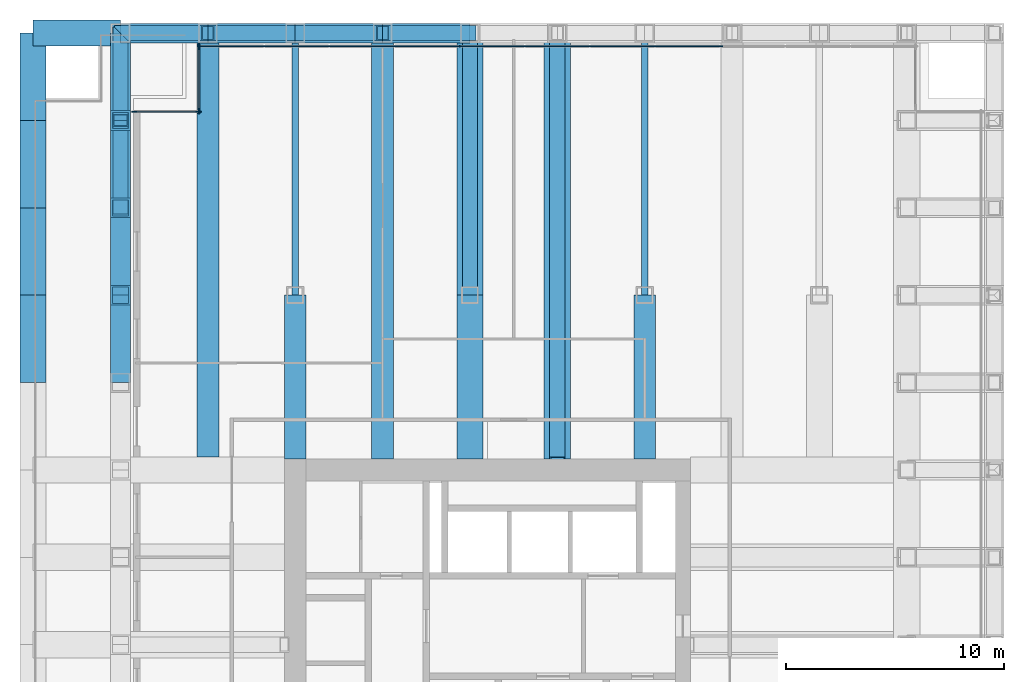
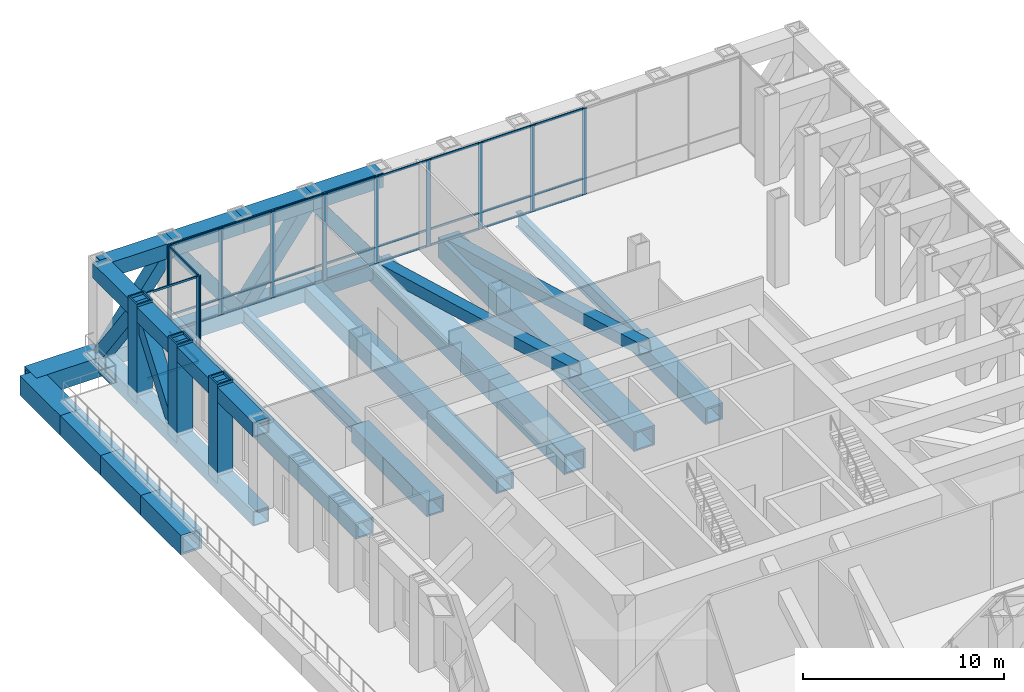
# One storey, part 6 of 12: 52 members, 27 beams, 3 elements without a shape of their own.
"""IFC4 building model written with IfcOpenShell, lengths in metres."""

from ifc_helpers import new_model, si_unit, direction, frame, origin, origin_2d, place, context, subcontext, project, spatial, rectangle, hollow_rectangle, i_section, extrude, material, material_profile, profile_set, type_object, element, aggregate, save


model = new_model("IFC4")

# Units and contexts
model_context = context("Model", 3, precision=1e-05, world=origin(), true_north=direction((0.0, 1.0)))
body_context = subcontext(model_context, "Body", "Model", "MODEL_VIEW")
ifc_project = project(units=[si_unit("LENGTHUNIT", "METRE"), si_unit("AREAUNIT", "SQUARE_METRE"), si_unit("VOLUMEUNIT", "CUBIC_METRE"), si_unit("PLANEANGLEUNIT", "RADIAN"), si_unit("MASSUNIT", "GRAM", prefix="KILO")], contexts=[model_context])

# Site, building, storey
site_placement = place(None, origin())
site = spatial("IfcSite", under=ifc_project, at=site_placement, CompositionType="ELEMENT")
building_placement = place(site_placement, origin())
building = spatial("IfcBuilding", under=site, at=building_placement, Name="Rimbunsela Tower", CompositionType="ELEMENT")
storey_placement = place(building_placement, frame((0.0, 0.0, 203.800048828125)))
storey = spatial("IfcBuildingStorey", under=building, at=storey_placement, Name="L49", CompositionType="ELEMENT", Elevation=203.800048828125)

# Beams
ifc_material_1 = material(Name="Steel BJ 55 (fy 410 MPa)", Category="steel")
ifc_material_profile_1 = material_profile(ifc_material_1, hollow_rectangle(XDim=1.0, YDim=1.0, WallThickness=0.10009765625, at=origin_2d()), Name="BOX 1000x1000x100")
ifc_profile_set_1 = profile_set([ifc_material_profile_1], Name="Steel BJ 55 (fy 410 MPa)")
beam_type_1 = type_object("IfcBeamType", Name="Beam BOX 1000x1000x100", PredefinedType="BEAM", material=ifc_profile_set_1)
beam_1_placement = place(storey_placement, frame((14.0, 36.60009765625, -0.650146484375), z_axis=(0.0, 1.0, 0.0), x_axis=(-1.0, 0.0, 0.0)))
element("IfcBeam", 1, at=beam_1_placement, inside=storey, type_object=beam_type_1, Name="Beam B3 L49", PredefinedType="BEAM", context=body_context, shape_type="SweptSolid", body=[
    extrude(hollow_rectangle(XDim=1.0, YDim=1.0, WallThickness=0.10009765625, at=origin_2d()), origin(), (0.0, 0.0, 1.0), 19.39990234375),
])
beam_2_placement = place(storey_placement, frame((18.0, 36.5, -0.650146484375), z_axis=(0.0, 1.0, 0.0), x_axis=(-1.0, 0.0, 0.0)))
element("IfcBeam", 2, at=beam_2_placement, inside=storey, type_object=beam_type_1, Name="Beam B3 L49", PredefinedType="BEAM", context=body_context, shape_type="SweptSolid", body=[
    extrude(hollow_rectangle(XDim=1.0, YDim=1.0, WallThickness=0.10009765625, at=origin_2d()), origin(), (0.0, 0.0, 1.0), 7.5),
])
beam_3_placement = place(storey_placement, frame((22.0, 36.5, -0.650146484375), z_axis=(0.0, 1.0, 0.0), x_axis=(-1.0, 0.0, 0.0)))
element("IfcBeam", 3, at=beam_3_placement, inside=storey, type_object=beam_type_1, Name="Beam B3 L49", PredefinedType="BEAM", context=body_context, shape_type="SweptSolid", body=[
    extrude(hollow_rectangle(XDim=1.0, YDim=1.0, WallThickness=0.10009765625, at=origin_2d()), origin(), (0.0, 0.0, 1.0), 19.5),
])
beam_4_placement = place(storey_placement, frame((34.0, 36.5, -0.650146484375), z_axis=(0.0, 1.0, 0.0), x_axis=(-1.0, 0.0, 0.0)))
element("IfcBeam", 4, at=beam_4_placement, inside=storey, type_object=beam_type_1, Name="Beam B3 L49", PredefinedType="BEAM", context=body_context, shape_type="SweptSolid", body=[
    extrude(hollow_rectangle(XDim=1.0, YDim=1.0, WallThickness=0.10009765625, at=origin_2d()), origin(), (0.0, 0.0, 1.0), 7.5),
])
ifc_material_2 = material(Name="Steel BJ 55 (fy 410 MPa)", Category="steel")
ifc_material_profile_2 = material_profile(ifc_material_2, hollow_rectangle(XDim=1.199951171875, YDim=1.199951171875, WallThickness=0.10009765625, at=origin_2d()), Name="BOX 1200x1200x100")
ifc_profile_set_2 = profile_set([ifc_material_profile_2], Name="Steel BJ 55 (fy 410 MPa)")
beam_type_2 = type_object("IfcBeamType", Name="Beam BOX 1200x1200x100", PredefinedType="BEAM", material=ifc_profile_set_2)
beam_5_placement = place(storey_placement, frame((26.0, 36.5, -0.75), z_axis=(0.0, 1.0, 0.0), x_axis=(-1.0, 0.0, 0.0)))
element("IfcBeam", 5, at=beam_5_placement, inside=storey, type_object=beam_type_2, Name="Beam B5 L49", PredefinedType="BEAM", context=body_context, shape_type="SweptSolid", body=[
    extrude(hollow_rectangle(XDim=1.199951171875, YDim=1.199951171875, WallThickness=0.10009765625, at=origin_2d()), origin(), (0.0, 0.0, 1.0), 7.5),
])
beam_6_placement = place(storey_placement, frame((26.0, 44.0, -0.75), z_axis=(0.0, 1.0, 0.0), x_axis=(-1.0, 0.0, 0.0)))
element("IfcBeam", 6, at=beam_6_placement, inside=storey, type_object=beam_type_2, Name="Beam B5 L49", PredefinedType="BEAM", context=body_context, shape_type="SweptSolid", body=[
    extrude(hollow_rectangle(XDim=1.199951171875, YDim=1.199951171875, WallThickness=0.10009765625, at=origin_2d()), origin(), (0.0, 0.0, 1.0), 12.0),
])
beam_7_placement = place(storey_placement, frame((30.0, 36.5, -0.75), z_axis=(0.0, 1.0, 0.0), x_axis=(-1.0, 0.0, 0.0)))
element("IfcBeam", 7, at=beam_7_placement, inside=storey, type_object=beam_type_2, Name="Beam B5 L49", PredefinedType="BEAM", context=body_context, shape_type="SweptSolid", body=[
    extrude(hollow_rectangle(XDim=1.199951171875, YDim=1.199951171875, WallThickness=0.10009765625, at=origin_2d()), origin(), (0.0, 0.0, 1.0), 19.5),
])
ifc_material_3 = material(Name="Steel BJ 55 (fy 410 MPa)", Category="steel")
ifc_material_profile_3 = material_profile(ifc_material_3, hollow_rectangle(XDim=1.199951171875, YDim=1.199951171875, WallThickness=0.125, at=origin_2d()), Name="BOX 1200x1200x125")
ifc_profile_set_3 = profile_set([ifc_material_profile_3], Name="Steel BJ 55 (fy 410 MPa)")
beam_type_3 = type_object("IfcBeamType", Name="Beam BOX 1200x1200x125", PredefinedType="BEAM", material=ifc_profile_set_3)
for number, where, z_axis, x_axis, name in (
    (8, (6.0, 40.0, -0.75), (0.0, 1.0, 0.0), (-1.0, 0.0, 0.0), "Beam B4 L49"),
    (9, (6.0, 44.0, -0.75), (0.0, 1.0, 0.0), (-1.0, 0.0, 0.0), "Beam B4 L49"),
    (10, (6.0, 48.0, -0.75), (0.0, 1.0, 0.0), (-1.0, 0.0, 0.0), "Beam B4 L49"),
    (11, (6.0, 52.0, -0.75), (0.0, 1.0, 0.0), (-1.0, 0.0, 0.0), "Beam B4 L49"),
    (12, (6.0, 56.0, -0.75), (1.0, 0.0, 0.0), (0.0, 1.0, 0.0), "Beam B4 L49"),
):
    element("IfcBeam", number, at=place(storey_placement, frame(where, z_axis=z_axis, x_axis=x_axis)), inside=storey, type_object=beam_type_3, Name=name, PredefinedType="BEAM", context=body_context, shape_type="SweptSolid", body=[
        extrude(hollow_rectangle(XDim=1.199951171875, YDim=1.199951171875, WallThickness=0.125, at=origin_2d()), origin(), (0.0, 0.0, 1.0), 4.0),
    ])
ifc_material_4 = material(Name="Steel BJ 55 (fy 410 MPa)", Category="steel")
ifc_material_profile_4 = material_profile(ifc_material_4, i_section(OverallWidth=0.300048828125, OverallDepth=0.89990234375, WebThickness=0.01611328125, FlangeThickness=0.028076171875, FilletRadius=0.028076171875, at=origin_2d()), Name="H 900x300x16x28")
ifc_profile_set_4 = profile_set([ifc_material_profile_4], Name="Steel BJ 55 (fy 410 MPa)")
beam_type_4 = type_object("IfcBeamType", Name="Beam H 900x300x16x28", PredefinedType="BEAM", material=ifc_profile_set_4)
for number, where, z_axis, x_axis, name in (
    (13, (18.0, 44.0, -0.60009765625), (0.0, 1.0, 0.0), (-1.0, 0.0, 0.0), "Beam B2 L49"),
    (14, (34.0, 44.0, -0.60009765625), (0.0, 1.0, 0.0), (-1.0, 0.0, 0.0), "Beam B2 L49"),
):
    element("IfcBeam", number, at=place(storey_placement, frame(where, z_axis=z_axis, x_axis=x_axis)), inside=storey, type_object=beam_type_4, Name=name, PredefinedType="BEAM", context=body_context, shape_type="SweptSolid", body=[
        extrude(i_section(OverallWidth=0.300048828125, OverallDepth=0.89990234375, WebThickness=0.01611328125, FlangeThickness=0.028076171875, FilletRadius=0.028076171875, at=origin_2d()), origin(), (0.0, 0.0, 1.0), 12.0),
    ])

# Curtain wall, members
ifc_material_5 = material(Name="Aluminium curtain wall", Category="aluminium")
curtain_wall_type_1 = type_object("IfcCurtainWallType", Name="Plant floor louvre wall", PredefinedType="USERDEFINED", material=ifc_material_5)
curtain_wall_1_placement = place(storey_placement, origin())
curtain_wall_1 = element("IfcCurtainWall", 15, at=curtain_wall_1_placement, inside=storey, type_object=curtain_wall_type_1, Name="Plant floor louvre wall L49", ObjectType="PLANT FLOOR LOUVRE WALL", PredefinedType="USERDEFINED")
ifc_material_6 = material(Name="Aluminium mullion", Category="aluminium")
ifc_material_profile_5 = material_profile(ifc_material_6, rectangle(XDim=0.06005859375, YDim=0.25, at=origin_2d()), Name="Mullion 60x250")
ifc_profile_set_5 = profile_set([ifc_material_profile_5], Name="Aluminium mullion")
member_type_1 = type_object("IfcMemberType", Name="Curtain wall mullion 60x250", PredefinedType="MULLION", material=ifc_profile_set_5)
member_1_placement = place(storey_placement, frame((37.45458984375, 55.39990234375, 0.0), z_axis=(0.0, 0.0, 1.0), x_axis=(0.0, -1.0, 0.0)))
member_1 = element("IfcMember", 16, at=member_1_placement, type_object=member_type_1, Name="CW3 mullion 4", PredefinedType="MULLION", context=body_context, shape_type="SweptSolid", body=[
    extrude(rectangle(XDim=0.06005859375, YDim=0.25, at=origin_2d()), origin(), (0.0, 0.0, 1.0), 5.25),
])
member_2_placement = place(storey_placement, frame((34.47265625, 55.39990234375, 0.0), z_axis=(0.0, 0.0, 1.0), x_axis=(0.0, -1.0, 0.0)))
member_2 = element("IfcMember", 17, at=member_2_placement, type_object=member_type_1, Name="CW3 mullion 5", PredefinedType="MULLION", context=body_context, shape_type="SweptSolid", body=[
    extrude(rectangle(XDim=0.06005859375, YDim=0.25, at=origin_2d()), origin(), (0.0, 0.0, 1.0), 5.25),
])
member_3_placement = place(storey_placement, frame((31.490966796875, 55.39990234375, 0.0), z_axis=(0.0, 0.0, 1.0), x_axis=(0.0, -1.0, 0.0)))
member_3 = element("IfcMember", 18, at=member_3_placement, type_object=member_type_1, Name="CW3 mullion 6", PredefinedType="MULLION", context=body_context, shape_type="SweptSolid", body=[
    extrude(rectangle(XDim=0.06005859375, YDim=0.25, at=origin_2d()), origin(), (0.0, 0.0, 1.0), 5.25),
])
member_4_placement = place(storey_placement, frame((28.509033203125, 55.39990234375, 0.0), z_axis=(0.0, 0.0, 1.0), x_axis=(0.0, -1.0, 0.0)))
member_4 = element("IfcMember", 19, at=member_4_placement, type_object=member_type_1, Name="CW3 mullion 7", PredefinedType="MULLION", context=body_context, shape_type="SweptSolid", body=[
    extrude(rectangle(XDim=0.06005859375, YDim=0.25, at=origin_2d()), origin(), (0.0, 0.0, 1.0), 5.25),
])
member_5_placement = place(storey_placement, frame((25.52734375, 55.39990234375, 0.0), z_axis=(0.0, 0.0, 1.0), x_axis=(0.0, -1.0, 0.0)))
member_5 = element("IfcMember", 20, at=member_5_placement, type_object=member_type_1, Name="CW3 mullion 8", PredefinedType="MULLION", context=body_context, shape_type="SweptSolid", body=[
    extrude(rectangle(XDim=0.06005859375, YDim=0.25, at=origin_2d()), origin(), (0.0, 0.0, 1.0), 5.25),
])
member_6_placement = place(storey_placement, frame((22.54541015625, 55.39990234375, 0.0), z_axis=(0.0, 0.0, 1.0), x_axis=(0.0, -1.0, 0.0)))
member_6 = element("IfcMember", 21, at=member_6_placement, type_object=member_type_1, Name="CW3 mullion 9", PredefinedType="MULLION", context=body_context, shape_type="SweptSolid", body=[
    extrude(rectangle(XDim=0.06005859375, YDim=0.25, at=origin_2d()), origin(), (0.0, 0.0, 1.0), 5.25),
])
member_7_placement = place(storey_placement, frame((19.563720703125, 55.39990234375, 0.0), z_axis=(0.0, 0.0, 1.0), x_axis=(0.0, -1.0, 0.0)))
member_7 = element("IfcMember", 22, at=member_7_placement, type_object=member_type_1, Name="CW3 mullion 10", PredefinedType="MULLION", context=body_context, shape_type="SweptSolid", body=[
    extrude(rectangle(XDim=0.06005859375, YDim=0.25, at=origin_2d()), origin(), (0.0, 0.0, 1.0), 5.25),
])
member_8_placement = place(storey_placement, frame((16.581787109375, 55.39990234375, 0.0), z_axis=(0.0, 0.0, 1.0), x_axis=(0.0, -1.0, 0.0)))
member_8 = element("IfcMember", 23, at=member_8_placement, type_object=member_type_1, Name="CW3 mullion 11", PredefinedType="MULLION", context=body_context, shape_type="SweptSolid", body=[
    extrude(rectangle(XDim=0.06005859375, YDim=0.25, at=origin_2d()), origin(), (0.0, 0.0, 1.0), 5.25),
])
member_9_placement = place(storey_placement, frame((13.6298828125, 55.39990234375, 0.0), z_axis=(0.0, 0.0, 1.0), x_axis=(0.0, -1.0, 0.0)))
member_9 = element("IfcMember", 24, at=member_9_placement, type_object=member_type_1, Name="CW3 mullion 12", PredefinedType="MULLION", context=body_context, shape_type="SweptSolid", body=[
    extrude(rectangle(XDim=0.06005859375, YDim=0.25, at=origin_2d()), origin(), (0.0, 0.0, 1.0), 5.25),
])

ifc_material_7 = material(Name="Aluminium curtain wall", Category="aluminium")
curtain_wall_type_2 = type_object("IfcCurtainWallType", Name="Corner glazing", PredefinedType="USERDEFINED", material=ifc_material_7)
curtain_wall_2_placement = place(storey_placement, origin())
curtain_wall_2 = element("IfcCurtainWall", 25, at=curtain_wall_2_placement, inside=storey, type_object=curtain_wall_type_2, Name="Corner glazing L49", ObjectType="CORNER GLAZING", PredefinedType="USERDEFINED")
member_10_placement = place(storey_placement, frame((13.60009765625, 55.3701171875, 0.0), z_axis=(0.0, 0.0, 1.0), x_axis=(1.0, 0.0, 0.0)))
member_10 = element("IfcMember", 26, at=member_10_placement, type_object=member_type_1, Name="CW5 mullion 1", PredefinedType="MULLION", context=body_context, shape_type="SweptSolid", body=[
    extrude(rectangle(XDim=0.06005859375, YDim=0.25, at=origin_2d()), origin(), (0.0, 0.0, 1.0), 5.25),
])
member_11_placement = place(storey_placement, frame((13.60009765625, 52.429931640625, 0.0), z_axis=(0.0, 0.0, 1.0), x_axis=(1.0, 0.0, 0.0)))
member_11 = element("IfcMember", 27, at=member_11_placement, type_object=member_type_1, Name="CW5 mullion 2", PredefinedType="MULLION", context=body_context, shape_type="SweptSolid", body=[
    extrude(rectangle(XDim=0.06005859375, YDim=0.25, at=origin_2d()), origin(), (0.0, 0.0, 1.0), 5.25),
])

curtain_wall_3_placement = place(storey_placement, origin())
curtain_wall_3 = element("IfcCurtainWall", 28, at=curtain_wall_3_placement, inside=storey, type_object=curtain_wall_type_2, Name="Corner glazing L49", ObjectType="CORNER GLAZING", PredefinedType="USERDEFINED")
member_12_placement = place(storey_placement, frame((13.570068359375, 52.39990234375, 0.0), z_axis=(0.0, 0.0, 1.0), x_axis=(0.0, -1.0, 0.0)))
member_12 = element("IfcMember", 29, at=member_12_placement, type_object=member_type_1, Name="CW5 mullion 1", PredefinedType="MULLION", context=body_context, shape_type="SweptSolid", body=[
    extrude(rectangle(XDim=0.06005859375, YDim=0.25, at=origin_2d()), origin(), (0.0, 0.0, 1.0), 5.25),
])
member_13_placement = place(storey_placement, frame((10.6298828125, 52.39990234375, 0.0), z_axis=(0.0, 0.0, 1.0), x_axis=(0.0, -1.0, 0.0)))
member_13 = element("IfcMember", 30, at=member_13_placement, type_object=member_type_1, Name="CW5 mullion 2", PredefinedType="MULLION", context=body_context, shape_type="SweptSolid", body=[
    extrude(rectangle(XDim=0.06005859375, YDim=0.25, at=origin_2d()), origin(), (0.0, 0.0, 1.0), 5.25),
])

# Member
ifc_material_8 = material(Name="Aluminium transom", Category="aluminium")
ifc_material_profile_6 = material_profile(ifc_material_8, rectangle(XDim=0.06005859375, YDim=0.1201171875, at=origin_2d()), Name="Transom 60x120")
ifc_profile_set_6 = profile_set([ifc_material_profile_6], Name="Aluminium transom")
member_type_2 = type_object("IfcMemberType", Name="Curtain wall transom 60x120", PredefinedType="USERDEFINED", material=ifc_profile_set_6)
member_14_placement = place(storey_placement, frame((37.424560546875, 55.39990234375, 0.030029296875), z_axis=(-1.0, 0.0, 0.0), x_axis=(0.0, -1.0, 0.0)))
member_14 = element("IfcMember", 31, at=member_14_placement, type_object=member_type_2, Name="CW3 transom 4.1", ObjectType="TRANSOM", PredefinedType="USERDEFINED", context=body_context, shape_type="SweptSolid", body=[
    extrude(rectangle(XDim=0.06005859375, YDim=0.1201171875, at=origin_2d()), origin(), (0.0, 0.0, 1.0), 2.921875),
])

member_15_placement = place(storey_placement, frame((37.424560546875, 55.39990234375, 1.0), z_axis=(-1.0, 0.0, 0.0), x_axis=(0.0, -1.0, 0.0)))
member_15 = element("IfcMember", 32, at=member_15_placement, type_object=member_type_2, Name="CW3 transom 4.2", ObjectType="TRANSOM", PredefinedType="USERDEFINED", context=body_context, shape_type="SweptSolid", body=[
    extrude(rectangle(XDim=0.06005859375, YDim=0.1201171875, at=origin_2d()), origin(), (0.0, 0.0, 1.0), 2.921875),
])

member_16_placement = place(storey_placement, frame((37.424560546875, 55.39990234375, 5.219970703125), z_axis=(-1.0, 0.0, 0.0), x_axis=(0.0, -1.0, 0.0)))
member_16 = element("IfcMember", 33, at=member_16_placement, type_object=member_type_2, Name="CW3 transom 4.3", ObjectType="TRANSOM", PredefinedType="USERDEFINED", context=body_context, shape_type="SweptSolid", body=[
    extrude(rectangle(XDim=0.06005859375, YDim=0.1201171875, at=origin_2d()), origin(), (0.0, 0.0, 1.0), 2.921875),
])

member_17_placement = place(storey_placement, frame((34.442626953125, 55.39990234375, 0.030029296875), z_axis=(-1.0, 0.0, 0.0), x_axis=(0.0, -1.0, 0.0)))
member_17 = element("IfcMember", 34, at=member_17_placement, type_object=member_type_2, Name="CW3 transom 5.1", ObjectType="TRANSOM", PredefinedType="USERDEFINED", context=body_context, shape_type="SweptSolid", body=[
    extrude(rectangle(XDim=0.06005859375, YDim=0.1201171875, at=origin_2d()), origin(), (0.0, 0.0, 1.0), 2.921630859375),
])

member_18_placement = place(storey_placement, frame((34.442626953125, 55.39990234375, 1.0), z_axis=(-1.0, 0.0, 0.0), x_axis=(0.0, -1.0, 0.0)))
member_18 = element("IfcMember", 35, at=member_18_placement, type_object=member_type_2, Name="CW3 transom 5.2", ObjectType="TRANSOM", PredefinedType="USERDEFINED", context=body_context, shape_type="SweptSolid", body=[
    extrude(rectangle(XDim=0.06005859375, YDim=0.1201171875, at=origin_2d()), origin(), (0.0, 0.0, 1.0), 2.921630859375),
])

member_19_placement = place(storey_placement, frame((34.442626953125, 55.39990234375, 5.219970703125), z_axis=(-1.0, 0.0, 0.0), x_axis=(0.0, -1.0, 0.0)))
member_19 = element("IfcMember", 36, at=member_19_placement, type_object=member_type_2, Name="CW3 transom 5.3", ObjectType="TRANSOM", PredefinedType="USERDEFINED", context=body_context, shape_type="SweptSolid", body=[
    extrude(rectangle(XDim=0.06005859375, YDim=0.1201171875, at=origin_2d()), origin(), (0.0, 0.0, 1.0), 2.921630859375),
])

member_20_placement = place(storey_placement, frame((31.4609375, 55.39990234375, 0.030029296875), z_axis=(-1.0, 0.0, 0.0), x_axis=(0.0, -1.0, 0.0)))
member_20 = element("IfcMember", 37, at=member_20_placement, type_object=member_type_2, Name="CW3 transom 6.1", ObjectType="TRANSOM", PredefinedType="USERDEFINED", context=body_context, shape_type="SweptSolid", body=[
    extrude(rectangle(XDim=0.06005859375, YDim=0.1201171875, at=origin_2d()), origin(), (0.0, 0.0, 1.0), 2.921875),
])

member_21_placement = place(storey_placement, frame((31.4609375, 55.39990234375, 1.0), z_axis=(-1.0, 0.0, 0.0), x_axis=(0.0, -1.0, 0.0)))
member_21 = element("IfcMember", 38, at=member_21_placement, type_object=member_type_2, Name="CW3 transom 6.2", ObjectType="TRANSOM", PredefinedType="USERDEFINED", context=body_context, shape_type="SweptSolid", body=[
    extrude(rectangle(XDim=0.06005859375, YDim=0.1201171875, at=origin_2d()), origin(), (0.0, 0.0, 1.0), 2.921875),
])

member_22_placement = place(storey_placement, frame((31.4609375, 55.39990234375, 5.219970703125), z_axis=(-1.0, 0.0, 0.0), x_axis=(0.0, -1.0, 0.0)))
member_22 = element("IfcMember", 39, at=member_22_placement, type_object=member_type_2, Name="CW3 transom 6.3", ObjectType="TRANSOM", PredefinedType="USERDEFINED", context=body_context, shape_type="SweptSolid", body=[
    extrude(rectangle(XDim=0.06005859375, YDim=0.1201171875, at=origin_2d()), origin(), (0.0, 0.0, 1.0), 2.921875),
])

member_23_placement = place(storey_placement, frame((28.47900390625, 55.39990234375, 0.030029296875), z_axis=(-1.0, 0.0, 0.0), x_axis=(0.0, -1.0, 0.0)))
member_23 = element("IfcMember", 40, at=member_23_placement, type_object=member_type_2, Name="CW3 transom 7.1", ObjectType="TRANSOM", PredefinedType="USERDEFINED", context=body_context, shape_type="SweptSolid", body=[
    extrude(rectangle(XDim=0.06005859375, YDim=0.1201171875, at=origin_2d()), origin(), (0.0, 0.0, 1.0), 2.921630859375),
])

member_24_placement = place(storey_placement, frame((28.47900390625, 55.39990234375, 1.0), z_axis=(-1.0, 0.0, 0.0), x_axis=(0.0, -1.0, 0.0)))
member_24 = element("IfcMember", 41, at=member_24_placement, type_object=member_type_2, Name="CW3 transom 7.2", ObjectType="TRANSOM", PredefinedType="USERDEFINED", context=body_context, shape_type="SweptSolid", body=[
    extrude(rectangle(XDim=0.06005859375, YDim=0.1201171875, at=origin_2d()), origin(), (0.0, 0.0, 1.0), 2.921630859375),
])

member_25_placement = place(storey_placement, frame((28.47900390625, 55.39990234375, 5.219970703125), z_axis=(-1.0, 0.0, 0.0), x_axis=(0.0, -1.0, 0.0)))
member_25 = element("IfcMember", 42, at=member_25_placement, type_object=member_type_2, Name="CW3 transom 7.3", ObjectType="TRANSOM", PredefinedType="USERDEFINED", context=body_context, shape_type="SweptSolid", body=[
    extrude(rectangle(XDim=0.06005859375, YDim=0.1201171875, at=origin_2d()), origin(), (0.0, 0.0, 1.0), 2.921630859375),
])

member_26_placement = place(storey_placement, frame((25.497314453125, 55.39990234375, 0.030029296875), z_axis=(-1.0, 0.0, 0.0), x_axis=(0.0, -1.0, 0.0)))
member_26 = element("IfcMember", 43, at=member_26_placement, type_object=member_type_2, Name="CW3 transom 8.1", ObjectType="TRANSOM", PredefinedType="USERDEFINED", context=body_context, shape_type="SweptSolid", body=[
    extrude(rectangle(XDim=0.06005859375, YDim=0.1201171875, at=origin_2d()), origin(), (0.0, 0.0, 1.0), 2.921875),
])

member_27_placement = place(storey_placement, frame((25.497314453125, 55.39990234375, 1.0), z_axis=(-1.0, 0.0, 0.0), x_axis=(0.0, -1.0, 0.0)))
member_27 = element("IfcMember", 44, at=member_27_placement, type_object=member_type_2, Name="CW3 transom 8.2", ObjectType="TRANSOM", PredefinedType="USERDEFINED", context=body_context, shape_type="SweptSolid", body=[
    extrude(rectangle(XDim=0.06005859375, YDim=0.1201171875, at=origin_2d()), origin(), (0.0, 0.0, 1.0), 2.921875),
])

member_28_placement = place(storey_placement, frame((25.497314453125, 55.39990234375, 5.219970703125), z_axis=(-1.0, 0.0, 0.0), x_axis=(0.0, -1.0, 0.0)))
member_28 = element("IfcMember", 45, at=member_28_placement, type_object=member_type_2, Name="CW3 transom 8.3", ObjectType="TRANSOM", PredefinedType="USERDEFINED", context=body_context, shape_type="SweptSolid", body=[
    extrude(rectangle(XDim=0.06005859375, YDim=0.1201171875, at=origin_2d()), origin(), (0.0, 0.0, 1.0), 2.921875),
])

member_29_placement = place(storey_placement, frame((22.515380859375, 55.39990234375, 0.030029296875), z_axis=(-1.0, 0.0, 0.0), x_axis=(0.0, -1.0, 0.0)))
member_29 = element("IfcMember", 46, at=member_29_placement, type_object=member_type_2, Name="CW3 transom 9.1", ObjectType="TRANSOM", PredefinedType="USERDEFINED", context=body_context, shape_type="SweptSolid", body=[
    extrude(rectangle(XDim=0.06005859375, YDim=0.1201171875, at=origin_2d()), origin(), (0.0, 0.0, 1.0), 2.921630859375),
])

member_30_placement = place(storey_placement, frame((22.515380859375, 55.39990234375, 1.0), z_axis=(-1.0, 0.0, 0.0), x_axis=(0.0, -1.0, 0.0)))
member_30 = element("IfcMember", 47, at=member_30_placement, type_object=member_type_2, Name="CW3 transom 9.2", ObjectType="TRANSOM", PredefinedType="USERDEFINED", context=body_context, shape_type="SweptSolid", body=[
    extrude(rectangle(XDim=0.06005859375, YDim=0.1201171875, at=origin_2d()), origin(), (0.0, 0.0, 1.0), 2.921630859375),
])

member_31_placement = place(storey_placement, frame((22.515380859375, 55.39990234375, 5.219970703125), z_axis=(-1.0, 0.0, 0.0), x_axis=(0.0, -1.0, 0.0)))
member_31 = element("IfcMember", 48, at=member_31_placement, type_object=member_type_2, Name="CW3 transom 9.3", ObjectType="TRANSOM", PredefinedType="USERDEFINED", context=body_context, shape_type="SweptSolid", body=[
    extrude(rectangle(XDim=0.06005859375, YDim=0.1201171875, at=origin_2d()), origin(), (0.0, 0.0, 1.0), 2.921630859375),
])

member_32_placement = place(storey_placement, frame((19.53369140625, 55.39990234375, 0.030029296875), z_axis=(-1.0, 0.0, 0.0), x_axis=(0.0, -1.0, 0.0)))
member_32 = element("IfcMember", 49, at=member_32_placement, type_object=member_type_2, Name="CW3 transom 10.1", ObjectType="TRANSOM", PredefinedType="USERDEFINED", context=body_context, shape_type="SweptSolid", body=[
    extrude(rectangle(XDim=0.06005859375, YDim=0.1201171875, at=origin_2d()), origin(), (0.0, 0.0, 1.0), 2.921875),
])

member_33_placement = place(storey_placement, frame((19.53369140625, 55.39990234375, 1.0), z_axis=(-1.0, 0.0, 0.0), x_axis=(0.0, -1.0, 0.0)))
member_33 = element("IfcMember", 50, at=member_33_placement, type_object=member_type_2, Name="CW3 transom 10.2", ObjectType="TRANSOM", PredefinedType="USERDEFINED", context=body_context, shape_type="SweptSolid", body=[
    extrude(rectangle(XDim=0.06005859375, YDim=0.1201171875, at=origin_2d()), origin(), (0.0, 0.0, 1.0), 2.921875),
])

member_34_placement = place(storey_placement, frame((19.53369140625, 55.39990234375, 5.219970703125), z_axis=(-1.0, 0.0, 0.0), x_axis=(0.0, -1.0, 0.0)))
member_34 = element("IfcMember", 51, at=member_34_placement, type_object=member_type_2, Name="CW3 transom 10.3", ObjectType="TRANSOM", PredefinedType="USERDEFINED", context=body_context, shape_type="SweptSolid", body=[
    extrude(rectangle(XDim=0.06005859375, YDim=0.1201171875, at=origin_2d()), origin(), (0.0, 0.0, 1.0), 2.921875),
])

member_35_placement = place(storey_placement, frame((16.5517578125, 55.39990234375, 0.030029296875), z_axis=(-1.0, 0.0, 0.0), x_axis=(0.0, -1.0, 0.0)))
member_35 = element("IfcMember", 52, at=member_35_placement, type_object=member_type_2, Name="CW3 transom 11.1", ObjectType="TRANSOM", PredefinedType="USERDEFINED", context=body_context, shape_type="SweptSolid", body=[
    extrude(rectangle(XDim=0.06005859375, YDim=0.1201171875, at=origin_2d()), origin(), (0.0, 0.0, 1.0), 2.891845703125),
])

member_36_placement = place(storey_placement, frame((16.5517578125, 55.39990234375, 1.0), z_axis=(-1.0, 0.0, 0.0), x_axis=(0.0, -1.0, 0.0)))
member_36 = element("IfcMember", 53, at=member_36_placement, type_object=member_type_2, Name="CW3 transom 11.2", ObjectType="TRANSOM", PredefinedType="USERDEFINED", context=body_context, shape_type="SweptSolid", body=[
    extrude(rectangle(XDim=0.06005859375, YDim=0.1201171875, at=origin_2d()), origin(), (0.0, 0.0, 1.0), 2.891845703125),
])

member_37_placement = place(storey_placement, frame((16.5517578125, 55.39990234375, 5.219970703125), z_axis=(-1.0, 0.0, 0.0), x_axis=(0.0, -1.0, 0.0)))
member_37 = element("IfcMember", 54, at=member_37_placement, type_object=member_type_2, Name="CW3 transom 11.3", ObjectType="TRANSOM", PredefinedType="USERDEFINED", context=body_context, shape_type="SweptSolid", body=[
    extrude(rectangle(XDim=0.06005859375, YDim=0.1201171875, at=origin_2d()), origin(), (0.0, 0.0, 1.0), 2.891845703125),
])

aggregate(curtain_wall_1, [member_1, member_2, member_3, member_4, member_5, member_6, member_7, member_8, member_9, member_14, member_15, member_16, member_17, member_18, member_19, member_20, member_21, member_22, member_23, member_24, member_25, member_26, member_27, member_28, member_29, member_30, member_31, member_32, member_33, member_34, member_35, member_36, member_37])

member_38_placement = place(storey_placement, frame((13.60009765625, 55.340087890625, 0.030029296875), z_axis=(0.0, -1.0, 0.0), x_axis=(1.0, 0.0, 0.0)))
member_38 = element("IfcMember", 55, at=member_38_placement, type_object=member_type_2, Name="CW5 transom 1.1", ObjectType="TRANSOM", PredefinedType="USERDEFINED", context=body_context, shape_type="SweptSolid", body=[
    extrude(rectangle(XDim=0.06005859375, YDim=0.1201171875, at=origin_2d()), origin(), (0.0, 0.0, 1.0), 2.880126953125),
])

member_39_placement = place(storey_placement, frame((13.60009765625, 55.340087890625, 5.219970703125), z_axis=(0.0, -1.0, 0.0), x_axis=(1.0, 0.0, 0.0)))
member_39 = element("IfcMember", 56, at=member_39_placement, type_object=member_type_2, Name="CW5 transom 1.2", ObjectType="TRANSOM", PredefinedType="USERDEFINED", context=body_context, shape_type="SweptSolid", body=[
    extrude(rectangle(XDim=0.06005859375, YDim=0.1201171875, at=origin_2d()), origin(), (0.0, 0.0, 1.0), 2.880126953125),
])

aggregate(curtain_wall_2, [member_10, member_11, member_38, member_39])

member_40_placement = place(storey_placement, frame((13.5400390625, 52.39990234375, 0.030029296875), z_axis=(-1.0, 0.0, 0.0), x_axis=(0.0, -1.0, 0.0)))
member_40 = element("IfcMember", 57, at=member_40_placement, type_object=member_type_2, Name="CW5 transom 1.1", ObjectType="TRANSOM", PredefinedType="USERDEFINED", context=body_context, shape_type="SweptSolid", body=[
    extrude(rectangle(XDim=0.06005859375, YDim=0.1201171875, at=origin_2d()), origin(), (0.0, 0.0, 1.0), 2.880126953125),
])

member_41_placement = place(storey_placement, frame((13.5400390625, 52.39990234375, 5.219970703125), z_axis=(-1.0, 0.0, 0.0), x_axis=(0.0, -1.0, 0.0)))
member_41 = element("IfcMember", 58, at=member_41_placement, type_object=member_type_2, Name="CW5 transom 1.2", ObjectType="TRANSOM", PredefinedType="USERDEFINED", context=body_context, shape_type="SweptSolid", body=[
    extrude(rectangle(XDim=0.06005859375, YDim=0.1201171875, at=origin_2d()), origin(), (0.0, 0.0, 1.0), 2.880126953125),
])

aggregate(curtain_wall_3, [member_12, member_13, member_40, member_41])

# Members
ifc_material_9 = material(Name="Steel BJ 55 (fy 410 MPa)", Category="steel")
ifc_material_profile_7 = material_profile(ifc_material_9, hollow_rectangle(XDim=0.699951171875, YDim=0.699951171875, WallThickness=0.050048828125, at=origin_2d()), Name="BOX 700x700x50")
ifc_profile_set_7 = profile_set([ifc_material_profile_7], Name="Steel BJ 55 (fy 410 MPa)")
member_type_3 = type_object("IfcMemberType", Name="Outrigger brace BOX 700x700x50", PredefinedType="BRACE", material=ifc_profile_set_7)
for number, where, z_axis, x_axis, name in (
    (59, (26.0, 56.0, -0.60009765625), (0.0, -0.963728159847, 0.266885806887), (1.0, 0.0, 0.0), "Outrigger brace OB2 N L49"),
    (60, (30.0, 56.0, -0.60009765625), (0.0, -0.963728159847, 0.266885806887), (1.0, 0.0, 0.0), "Outrigger brace OB2 N L49"),
):
    element("IfcMember", number, at=place(storey_placement, frame(where, z_axis=z_axis, x_axis=x_axis)), inside=storey, type_object=member_type_3, Name=name, PredefinedType="BRACE", context=body_context, shape_type="SweptSolid", body=[
        extrude(hollow_rectangle(XDim=0.699951171875, YDim=0.699951171875, WallThickness=0.050048828125, at=origin_2d()), origin(), (0.0, 0.0, 1.0), 20.23388671875),
    ])

# Beams
ifc_material_10 = material(Name="Steel BJ 55 (fy 410 MPa)", Category="steel")
ifc_material_profile_8 = material_profile(ifc_material_10, hollow_rectangle(XDim=0.89990234375, YDim=0.89990234375, WallThickness=0.06005859375, at=origin_2d()), Name="BOX 900x900x60")
ifc_profile_set_8 = profile_set([ifc_material_profile_8], Name="Steel BJ 55 (fy 410 MPa)")
beam_type_5 = type_object("IfcBeamType", Name="Truss chord BOX 900x900x60", PredefinedType="USERDEFINED", material=ifc_profile_set_8)
for number, where, z_axis, x_axis, name in (
    (61, (10.0, 56.0, 4.800048828125), (1.0, 0.0, 0.0), (0.0, 1.0, 0.0), "Truss top chord TC4 N face L49"),
    (62, (14.0, 56.0, 4.800048828125), (1.0, 0.0, 0.0), (0.0, 1.0, 0.0), "Truss top chord TC4 N face L49"),
    (63, (18.0, 56.0, 4.800048828125), (1.0, 0.0, 0.0), (0.0, 1.0, 0.0), "Truss top chord TC4 N face L49"),
    (64, (22.0, 56.0, 4.800048828125), (1.0, 0.0, 0.0), (0.0, 1.0, 0.0), "Truss top chord TC4 N face L49"),
    (65, (10.0, 40.0, 4.800048828125), (0.0, 1.0, 0.0), (-1.0, 0.0, 0.0), "Truss top chord TC4 W face L49"),
    (66, (10.0, 44.0, 4.800048828125), (0.0, 1.0, 0.0), (-1.0, 0.0, 0.0), "Truss top chord TC4 W face L49"),
    (67, (10.0, 48.0, 4.800048828125), (0.0, 1.0, 0.0), (-1.0, 0.0, 0.0), "Truss top chord TC4 W face L49"),
    (68, (10.0, 52.0, 4.800048828125), (0.0, 1.0, 0.0), (-1.0, 0.0, 0.0), "Truss top chord TC4 W face L49"),
    (69, (10.0, 56.0, -0.60009765625), (1.0, 0.0, 0.0), (0.0, 1.0, 0.0), "Truss bottom chord TC4 N face L49"),
    (70, (14.0, 56.0, -0.60009765625), (1.0, 0.0, 0.0), (0.0, 1.0, 0.0), "Truss bottom chord TC4 N face L49"),
    (71, (18.0, 56.0, -0.60009765625), (1.0, 0.0, 0.0), (0.0, 1.0, 0.0), "Truss bottom chord TC4 N face L49"),
    (72, (22.0, 56.0, -0.60009765625), (1.0, 0.0, 0.0), (0.0, 1.0, 0.0), "Truss bottom chord TC4 N face L49"),
):
    element("IfcBeam", number, at=place(storey_placement, frame(where, z_axis=z_axis, x_axis=x_axis)), inside=storey, type_object=beam_type_5, Name=name, ObjectType="TRUSS CHORD", PredefinedType="USERDEFINED", context=body_context, shape_type="SweptSolid", body=[
        extrude(hollow_rectangle(XDim=0.89990234375, YDim=0.89990234375, WallThickness=0.06005859375, at=origin_2d()), origin(), (0.0, 0.0, 1.0), 4.0),
    ])
beam_8_placement = place(storey_placement, frame((10.0, 40.0, -0.60009765625), z_axis=(0.0, 1.0, 0.0), x_axis=(-1.0, 0.0, 0.0)))
element("IfcBeam", 73, at=beam_8_placement, inside=storey, type_object=beam_type_5, Name="Truss bottom chord TC4 W face L49", ObjectType="TRUSS CHORD", PredefinedType="USERDEFINED", context=body_context, shape_type="SweptSolid", body=[
    extrude(hollow_rectangle(XDim=0.89990234375, YDim=0.89990234375, WallThickness=0.06005859375, at=origin_2d()), origin(), (0.0, 0.0, 1.0), 16.0),
])

# Members
ifc_material_11 = material(Name="Steel BJ 55 (fy 410 MPa)", Category="steel")
ifc_material_profile_9 = material_profile(ifc_material_11, hollow_rectangle(XDim=0.699951171875, YDim=0.699951171875, WallThickness=0.050048828125, at=origin_2d()), Name="BOX 700x700x50")
ifc_profile_set_9 = profile_set([ifc_material_profile_9], Name="Steel BJ 55 (fy 410 MPa)")
member_type_4 = type_object("IfcMemberType", Name="Truss diagonal BOX 700x700x50", PredefinedType="BRACE", material=ifc_profile_set_9)
for number, where, z_axis, x_axis, name in (
    (74, (10.0, 56.0, -0.60009765625), (0.595217124844, 0.0, 0.803564916041), (0.0, 1.0, 0.0), "Truss diagonal TD4 N face L49"),
    (75, (14.0, 56.0, 4.800048828125), (0.595217124844, 0.0, -0.803564916041), (0.0, 1.0, 0.0), "Truss diagonal TD4 N face L49"),
    (76, (18.0, 56.0, -0.60009765625), (0.595217124844, 0.0, 0.803564916041), (0.0, 1.0, 0.0), "Truss diagonal TD4 N face L49"),
    (77, (22.0, 56.0, 4.800048828125), (0.595217124844, 0.0, -0.803564916041), (0.0, 1.0, 0.0), "Truss diagonal TD4 N face L49"),
    (78, (10.0, 48.0, -0.60009765625), (0.0, 0.595217124844, 0.803564916041), (-1.0, 0.0, 0.0), "Truss diagonal TD4 W face L49"),
    (79, (10.0, 52.0, 4.800048828125), (0.0, 0.595217124844, -0.803564916041), (-1.0, 0.0, 0.0), "Truss diagonal TD4 W face L49"),
):
    element("IfcMember", number, at=place(storey_placement, frame(where, z_axis=z_axis, x_axis=x_axis)), inside=storey, type_object=member_type_4, Name=name, PredefinedType="BRACE", context=body_context, shape_type="SweptSolid", body=[
        extrude(hollow_rectangle(XDim=0.699951171875, YDim=0.699951171875, WallThickness=0.050048828125, at=origin_2d()), origin(), (0.0, 0.0, 1.0), 6.72021484375),
    ])
ifc_material_12 = material(Name="Steel BJ 55 (fy 410 MPa)", Category="steel")
ifc_material_profile_10 = material_profile(ifc_material_12, hollow_rectangle(XDim=0.89990234375, YDim=0.89990234375, WallThickness=0.080078125, at=origin_2d()), Name="BOX 900x900x80")
ifc_profile_set_10 = profile_set([ifc_material_profile_10], Name="Steel BJ 55 (fy 410 MPa)")
member_type_5 = type_object("IfcMemberType", Name="Truss post BOX 900x900x80", PredefinedType="POST", material=ifc_profile_set_10)
for number, where, z_axis, x_axis, name in (
    (80, (10.0, 44.0, -0.60009765625), (0.0, 0.0, 1.0), (1.0, 0.0, 0.0), "Truss post TP3 5/N L49"),
    (81, (10.0, 48.0, -0.60009765625), (0.0, 0.0, 1.0), (1.0, 0.0, 0.0), "Truss post TP3 5/P L49"),
    (82, (10.0, 52.0, -0.60009765625), (0.0, 0.0, 1.0), (1.0, 0.0, 0.0), "Truss post TP3 5/Q L49"),
):
    element("IfcMember", number, at=place(storey_placement, frame(where, z_axis=z_axis, x_axis=x_axis)), inside=storey, type_object=member_type_5, Name=name, PredefinedType="POST", context=body_context, shape_type="SweptSolid", body=[
        extrude(hollow_rectangle(XDim=0.89990234375, YDim=0.89990234375, WallThickness=0.080078125, at=origin_2d()), origin(), (0.0, 0.0, 1.0), 6.0),
    ])

save(model, "model.ifc")
